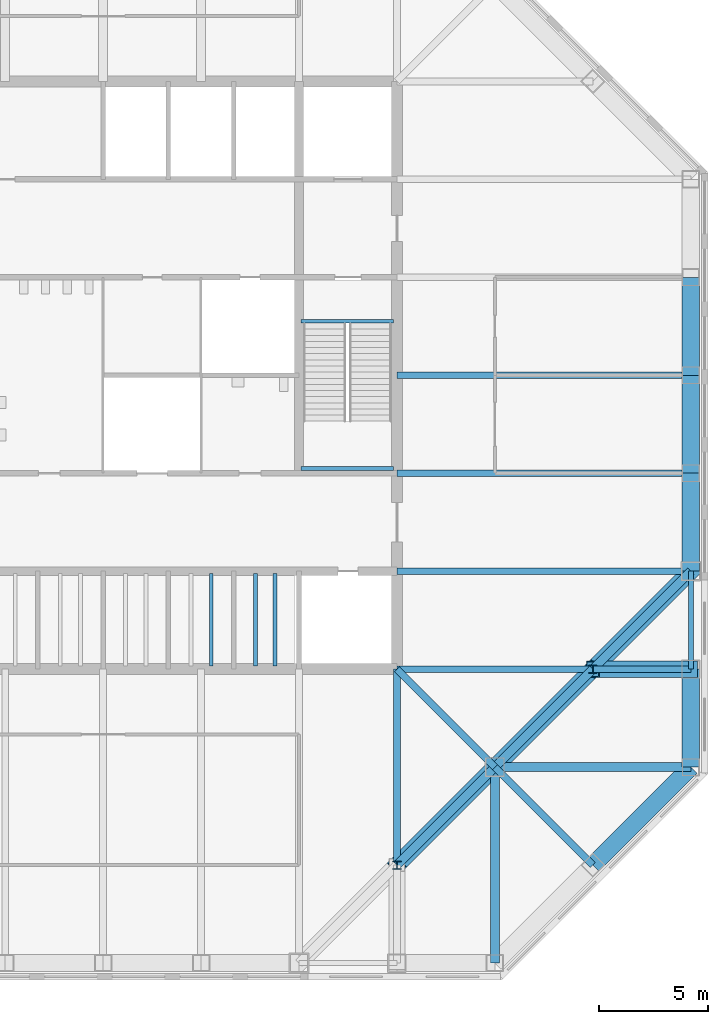
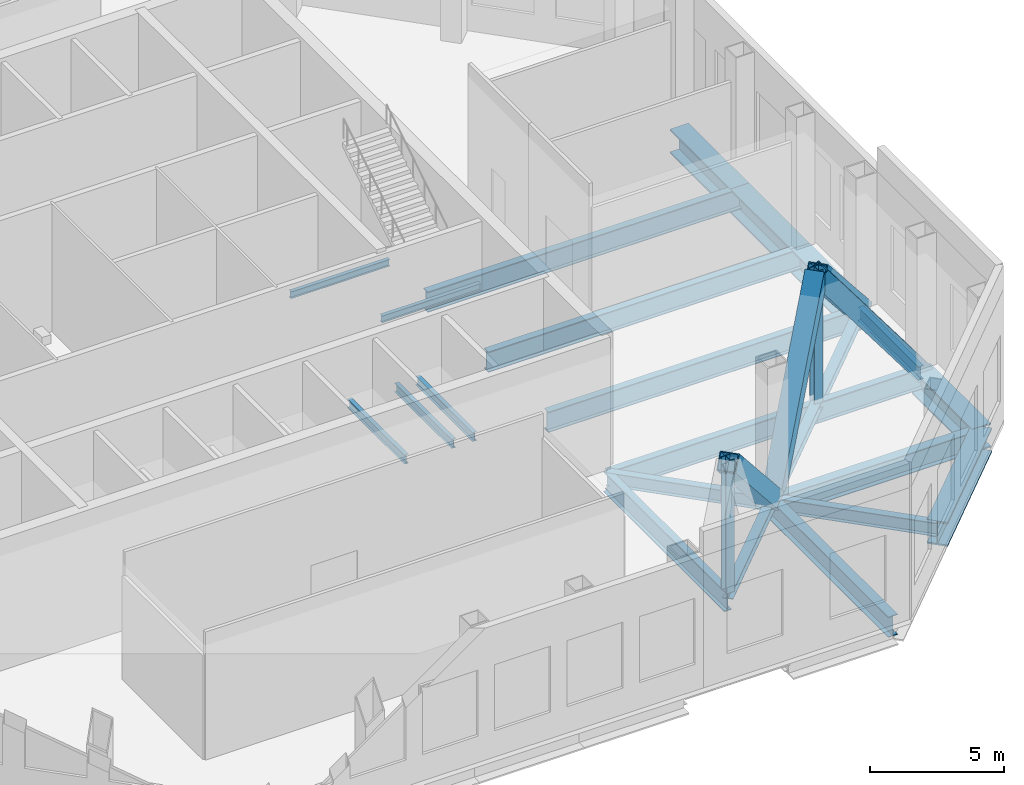
# One storey, part 2 of 10: 24 beams, 6 members.
"""IFC4 building model written with IfcOpenShell, lengths in metres."""

from ifc_helpers import new_model, si_unit, direction, frame, origin, origin_2d, place, context, subcontext, project, spatial, hollow_rectangle, i_section, extrude, material, material_profile, profile_set, type_object, element, save


model = new_model("IFC4")

# Units and contexts
model_context = context("Model", 3, precision=1e-05, world=origin(), true_north=direction((0.0, 1.0)))
body_context = subcontext(model_context, "Body", "Model", "MODEL_VIEW")
ifc_project = project(units=[si_unit("LENGTHUNIT", "METRE"), si_unit("AREAUNIT", "SQUARE_METRE"), si_unit("VOLUMEUNIT", "CUBIC_METRE"), si_unit("PLANEANGLEUNIT", "RADIAN"), si_unit("MASSUNIT", "GRAM", prefix="KILO")], contexts=[model_context])

# Site, building, storey
site_placement = place(None, origin())
site = spatial("IfcSite", under=ifc_project, at=site_placement, CompositionType="ELEMENT")
building_placement = place(site_placement, origin())
building = spatial("IfcBuilding", under=site, at=building_placement, Name="Corais Broadcast Tower", CompositionType="ELEMENT")
storey_placement = place(building_placement, frame((0.0, 0.0, 199.60009765625)))
storey = spatial("IfcBuildingStorey", under=building, at=storey_placement, Name="L46", CompositionType="ELEMENT", Elevation=199.60009765625)

# Beams
ifc_material_1 = material(Name="Steel ASTM A572 Grade 50", Category="steel")
ifc_material_profile_1 = material_profile(ifc_material_1, i_section(OverallWidth=0.323974609375, OverallDepth=0.611083984375, WebThickness=0.0126953125, FlangeThickness=0.01904296875, at=origin_2d()), Name="W610x155")
ifc_profile_set_1 = profile_set([ifc_material_profile_1], Name="Steel ASTM A572 Grade 50")
beam_type_1 = type_object("IfcBeamType", Name="Chamfer tie W610x155", PredefinedType="BEAM", material=ifc_profile_set_1)
beam_1_placement = place(storey_placement, frame((49.5, 4.5, -0.505615234375), z_axis=(-0.707106781187, 0.707106781187, 0.0), x_axis=(-0.707106781187, -0.707106781187, 0.0)))
element("IfcBeam", 1, at=beam_1_placement, inside=storey, type_object=beam_type_1, Name="B5 B/14 to C/13", PredefinedType="BEAM", context=body_context, shape_type="SweptSolid", body=[
    extrude(i_section(OverallWidth=0.323974609375, OverallDepth=0.611083984375, WebThickness=0.0126953125, FlangeThickness=0.01904296875, at=origin_2d()), origin(), (0.0, 0.0, 1.0), 6.364013671875),
])
ifc_material_2 = material(Name="Steel ASTM A572 Grade 50", Category="steel")
ifc_material_profile_2 = material_profile(ifc_material_2, i_section(OverallWidth=0.323974609375, OverallDepth=0.611083984375, WebThickness=0.0126953125, FlangeThickness=0.01904296875, at=origin_2d()), Name="W610x155")
ifc_profile_set_2 = profile_set([ifc_material_profile_2], Name="Steel ASTM A572 Grade 50")
beam_type_2 = type_object("IfcBeamType", Name="Corner diagonal W610x155", PredefinedType="BEAM", material=ifc_profile_set_2)
beam_2_placement = place(storey_placement, frame((45.0, 9.0, -0.505615234375), z_axis=(-0.707106781187, 0.707106781187, 0.0), x_axis=(-0.707106781187, -0.707106781187, 0.0)))
element("IfcBeam", 2, at=beam_2_placement, inside=storey, type_object=beam_type_2, Name="B6 C/13 to D/12", PredefinedType="BEAM", context=body_context, shape_type="SweptSolid", body=[
    extrude(i_section(OverallWidth=0.323974609375, OverallDepth=0.611083984375, WebThickness=0.0126953125, FlangeThickness=0.01904296875, at=origin_2d()), origin(), (0.0, 0.0, 1.0), 6.364013671875),
])
ifc_material_3 = material(Name="Steel ASTM A572 Grade 50", Category="steel")
ifc_material_profile_3 = material_profile(ifc_material_3, i_section(OverallWidth=0.1650390625, OverallDepth=0.31005859375, WebThickness=0.005859375, FlangeThickness=0.009765625, at=origin_2d()), Name="W310x38.7")
ifc_profile_set_3 = profile_set([ifc_material_profile_3], Name="Steel ASTM A572 Grade 50")
beam_type_3 = type_object("IfcBeamType", Name="Landing trimmer W310x38.7", PredefinedType="BEAM", material=ifc_profile_set_3)
for number, where, z_axis, x_axis, name in (
    (3, (36.10009765625, 29.47509765625, -0.35498046875), (1.0, 0.0, 0.0), (0.0, 1.0, 0.0), "LT1 stair B landing trimmer L46"),
    (4, (36.10009765625, 22.715087890625, 2.64501953125), (1.0, 0.0, 0.0), (0.0, 1.0, 0.0), "LT1 stair B half landing trimmer L46"),
):
    element("IfcBeam", number, at=place(storey_placement, frame(where, z_axis=z_axis, x_axis=x_axis)), inside=storey, type_object=beam_type_3, Name=name, PredefinedType="BEAM", context=body_context, shape_type="SweptSolid", body=[
        extrude(i_section(OverallWidth=0.1650390625, OverallDepth=0.31005859375, WebThickness=0.005859375, FlangeThickness=0.009765625, at=origin_2d()), origin(), (0.0, 0.0, 1.0), 4.25),
    ])
ifc_material_4 = material(Name="Steel ASTM A572 Grade 50", Category="steel")
ifc_material_profile_4 = material_profile(ifc_material_4, i_section(OverallWidth=0.22900390625, OverallDepth=0.612060546875, WebThickness=0.011962890625, FlangeThickness=0.01953125, at=origin_2d()), Name="W610x125")
ifc_profile_set_4 = profile_set([ifc_material_profile_4], Name="Steel ASTM A572 Grade 50")
beam_type_4 = type_object("IfcBeamType", Name="Pinned spandrel W610x125", PredefinedType="BEAM", material=ifc_profile_set_4)
beam_3_placement = place(storey_placement, frame((54.0, 13.5, -0.506103515625), z_axis=(0.0, 1.0, 0.0), x_axis=(-1.0, 0.0, 0.0)))
element("IfcBeam", 5, at=beam_3_placement, inside=storey, type_object=beam_type_4, Name="SB7 D/15 to E/15", PredefinedType="BEAM", context=body_context, shape_type="SweptSolid", body=[
    extrude(i_section(OverallWidth=0.22900390625, OverallDepth=0.612060546875, WebThickness=0.011962890625, FlangeThickness=0.01953125, at=origin_2d()), origin(), (0.0, 0.0, 1.0), 4.5),
])
ifc_material_5 = material(Name="Steel ASTM A572 Grade 50", Category="steel")
ifc_material_profile_5 = material_profile(ifc_material_5, i_section(OverallWidth=0.177978515625, OverallDepth=0.406982421875, WebThickness=0.0078125, FlangeThickness=0.0126953125, at=origin_2d()), Name="W410x60")
ifc_profile_set_5 = profile_set([ifc_material_profile_5], Name="Steel ASTM A572 Grade 50")
beam_type_5 = type_object("IfcBeamType", Name="Pit beam W410x60", PredefinedType="BEAM", material=ifc_profile_set_5)
for number, where, z_axis, x_axis, name in (
    (6, (31.966796875, 13.64990234375, 3.1962890625), (0.0, 1.0, 0.0), (-1.0, 0.0, 0.0), "B15 lift pit beam D/10 +467 +250"),
    (7, (34.0, 13.64990234375, 3.1962890625), (0.0, 1.0, 0.0), (-1.0, 0.0, 0.0), "B15 lift pit beam D/11 -2000 +250"),
    (8, (34.89990234375, 13.64990234375, 3.1962890625), (0.0, 1.0, 0.0), (-1.0, 0.0, 0.0), "B15 lift pit beam D/11 -1100 +250"),
):
    element("IfcBeam", number, at=place(storey_placement, frame(where, z_axis=z_axis, x_axis=x_axis)), inside=storey, type_object=beam_type_5, Name=name, PredefinedType="BEAM", context=body_context, shape_type="SweptSolid", body=[
        extrude(i_section(OverallWidth=0.177978515625, OverallDepth=0.406982421875, WebThickness=0.0078125, FlangeThickness=0.0126953125, at=origin_2d()), origin(), (0.0, 0.0, 1.0), 4.25),
    ])
ifc_material_6 = material(Name="Steel ASTM A572 Grade 50", Category="steel")
ifc_material_profile_6 = material_profile(ifc_material_6, i_section(OverallWidth=0.30908203125, OverallDepth=0.931884765625, WebThickness=0.02099609375, FlangeThickness=0.034423828125, at=origin_2d()), Name="W920x313")
ifc_profile_set_6 = profile_set([ifc_material_profile_6], Name="Steel ASTM A572 Grade 50")
beam_type_6 = type_object("IfcBeamType", Name="Plant floor beam W920x313", PredefinedType="BEAM", material=ifc_profile_set_6)
for number, where, z_axis, x_axis, name in (
    (9, (40.5, 4.5, -0.666015625), (0.0, 1.0, 0.0), (-1.0, 0.0, 0.0), "B17 B/12 to D/12"),
    (10, (49.5, 13.5, -0.666015625), (-1.0, 0.0, 0.0), (0.0, -1.0, 0.0), "B17 D/14 to D/12"),
):
    element("IfcBeam", number, at=place(storey_placement, frame(where, z_axis=z_axis, x_axis=x_axis)), inside=storey, type_object=beam_type_6, Name=name, PredefinedType="BEAM", context=body_context, shape_type="SweptSolid", body=[
        extrude(i_section(OverallWidth=0.30908203125, OverallDepth=0.931884765625, WebThickness=0.02099609375, FlangeThickness=0.034423828125, at=origin_2d()), origin(), (0.0, 0.0, 1.0), 9.0),
    ])
beam_4_placement = place(storey_placement, frame((54.0, 13.5, -0.666015625), z_axis=(-1.0, 0.0, 0.0), x_axis=(0.0, -1.0, 0.0)))
element("IfcBeam", 11, at=beam_4_placement, inside=storey, type_object=beam_type_6, Name="B17 D/15 to D/14", PredefinedType="BEAM", context=body_context, shape_type="SweptSolid", body=[
    extrude(i_section(OverallWidth=0.30908203125, OverallDepth=0.931884765625, WebThickness=0.02099609375, FlangeThickness=0.034423828125, at=origin_2d()), origin(), (0.0, 0.0, 1.0), 4.5),
])
for number, where, z_axis, x_axis, name in (
    (12, (54.0, 18.0, -0.666015625), (-1.0, 0.0, 0.0), (0.0, -1.0, 0.0), "B17 E/15 to E/12"),
    (13, (54.0, 22.5, -0.666015625), (-1.0, 0.0, 0.0), (0.0, -1.0, 0.0), "B17 F/15 to F/12"),
    (14, (54.0, 27.0, -0.666015625), (-1.0, 0.0, 0.0), (0.0, -1.0, 0.0), "B17 G/15 to G/12"),
):
    element("IfcBeam", number, at=place(storey_placement, frame(where, z_axis=z_axis, x_axis=x_axis)), inside=storey, type_object=beam_type_6, Name=name, PredefinedType="BEAM", context=body_context, shape_type="SweptSolid", body=[
        extrude(i_section(OverallWidth=0.30908203125, OverallDepth=0.931884765625, WebThickness=0.02099609375, FlangeThickness=0.034423828125, at=origin_2d()), origin(), (0.0, 0.0, 1.0), 13.5),
    ])
ifc_material_7 = material(Name="Steel ASTM A572 Grade 50", Category="steel")
ifc_material_profile_7 = material_profile(ifc_material_7, i_section(OverallWidth=0.40087890625, OverallDepth=0.386962890625, WebThickness=0.02099609375, FlangeThickness=0.033203125, at=origin_2d()), Name="W360x262")
ifc_profile_set_7 = profile_set([ifc_material_profile_7], Name="Steel ASTM A572 Grade 50")
beam_type_7 = type_object("IfcBeamType", Name="Transfer chord W360x262", PredefinedType="BEAM", material=ifc_profile_set_7)
for number, where, z_axis, x_axis, name in (
    (15, (40.5, 4.5, -0.3935546875), (0.707106781187, 0.707106781187, 0.0), (-0.707106781187, 0.707106781187, 0.0), "TC1 B/12 to C/13"),
    (16, (45.0, 9.0, -0.3935546875), (0.707106781187, 0.707106781187, 0.0), (-0.707106781187, 0.707106781187, 0.0), "TC1 C/13 to D/14"),
    (17, (49.5, 13.5, -0.3935546875), (0.707106781187, 0.707106781187, 0.0), (-0.707106781187, 0.707106781187, 0.0), "TC1 D/14 to E/15"),
):
    element("IfcBeam", number, at=place(storey_placement, frame(where, z_axis=z_axis, x_axis=x_axis)), inside=storey, type_object=beam_type_7, Name=name, PredefinedType="BEAM", context=body_context, shape_type="SweptSolid", body=[
        extrude(i_section(OverallWidth=0.40087890625, OverallDepth=0.386962890625, WebThickness=0.02099609375, FlangeThickness=0.033203125, at=origin_2d()), origin(), (0.0, 0.0, 1.0), 6.364013671875),
    ])
ifc_material_8 = material(Name="Steel ASTM A572 Grade 50", Category="steel")
ifc_material_profile_8 = material_profile(ifc_material_8, i_section(OverallWidth=0.408935546875, OverallDepth=0.927001953125, WebThickness=0.0166015625, FlangeThickness=0.030029296875, at=origin_2d()), Name="W920x289")
ifc_profile_set_8 = profile_set([ifc_material_profile_8], Name="Steel ASTM A572 Grade 50")
beam_type_8 = type_object("IfcBeamType", Name="Transfer corner girder W920x289", PredefinedType="BEAM", material=ifc_profile_set_8)
for number, where, z_axis, x_axis, name in (
    (18, (45.0, 0.0, -0.66357421875), (0.0, 1.0, 0.0), (-1.0, 0.0, 0.0), "B14 A/13 to C/13"),
    (19, (54.0, 9.0, -0.66357421875), (-1.0, 0.0, 0.0), (0.0, -1.0, 0.0), "B14 C/15 to C/13"),
):
    element("IfcBeam", number, at=place(storey_placement, frame(where, z_axis=z_axis, x_axis=x_axis)), inside=storey, type_object=beam_type_8, Name=name, PredefinedType="BEAM", context=body_context, shape_type="SweptSolid", body=[
        extrude(i_section(OverallWidth=0.408935546875, OverallDepth=0.927001953125, WebThickness=0.0166015625, FlangeThickness=0.030029296875, at=origin_2d()), origin(), (0.0, 0.0, 1.0), 9.0),
    ])
ifc_material_9 = material(Name="Steel ASTM A572 Grade 50", Category="steel")
ifc_material_profile_9 = material_profile(ifc_material_9, i_section(OverallWidth=0.800048828125, OverallDepth=1.10009765625, WebThickness=0.030029296875, FlangeThickness=0.070068359375, at=origin_2d()), Name="PG1100x1105")
ifc_profile_set_9 = profile_set([ifc_material_profile_9], Name="Steel ASTM A572 Grade 50")
beam_type_9 = type_object("IfcBeamType", Name="Transfer spandrel PG1100x1105", PredefinedType="BEAM", material=ifc_profile_set_9)
beam_5_placement = place(storey_placement, frame((49.5, 4.5, -0.75), z_axis=(0.707106781187, 0.707106781187, 0.0), x_axis=(-0.707106781187, 0.707106781187, 0.0)))
element("IfcBeam", 20, at=beam_5_placement, inside=storey, type_object=beam_type_9, Name="SB8 B/14 to C/15", PredefinedType="BEAM", context=body_context, shape_type="SweptSolid", body=[
    extrude(i_section(OverallWidth=0.800048828125, OverallDepth=1.10009765625, WebThickness=0.030029296875, FlangeThickness=0.070068359375, at=origin_2d()), origin(), (0.0, 0.0, 1.0), 6.364013671875),
])
for number, where, z_axis, x_axis, name in (
    (21, (54.0, 18.0, -0.75), (0.0, 1.0, 0.0), (-1.0, 0.0, 0.0), "SB8 E/15 to F/15"),
    (22, (54.0, 22.5, -0.75), (0.0, 1.0, 0.0), (-1.0, 0.0, 0.0), "SB8 F/15 to G/15"),
    (23, (54.0, 27.0, -0.75), (0.0, 1.0, 0.0), (-1.0, 0.0, 0.0), "SB8 G/15 to H/15"),
    (24, (54.0, 9.0, -0.75), (0.0, 1.0, 0.0), (-1.0, 0.0, 0.0), "SB8 C/15 to D/15"),
):
    element("IfcBeam", number, at=place(storey_placement, frame(where, z_axis=z_axis, x_axis=x_axis)), inside=storey, type_object=beam_type_9, Name=name, PredefinedType="BEAM", context=body_context, shape_type="SweptSolid", body=[
        extrude(i_section(OverallWidth=0.800048828125, OverallDepth=1.10009765625, WebThickness=0.030029296875, FlangeThickness=0.070068359375, at=origin_2d()), origin(), (0.0, 0.0, 1.0), 4.5),
    ])

# Members
ifc_material_10 = material(Name="Steel ASTM A572 Grade 50", Category="steel")
ifc_material_profile_10 = material_profile(ifc_material_10, hollow_rectangle(XDim=0.75, YDim=0.75, WallThickness=0.0400390625, at=origin_2d()), Name="BOX 750x750x40")
ifc_profile_set_10 = profile_set([ifc_material_profile_10], Name="Steel ASTM A572 Grade 50")
member_type_1 = type_object("IfcMemberType", Name="Transfer truss diagonal BOX 750x750x40", PredefinedType="BRACE", material=ifc_profile_set_10)
for number, where, z_axis, x_axis, name in (
    (25, (45.0, 9.0, -0.3935546875), (-0.51368847143, -0.51368847143, 0.687203251331), (0.707106781187, -0.707106781187, 0.0), "TD1 transfer truss diagonal SE"),
    (26, (45.0, 9.0, -0.3935546875), (0.51368847143, 0.51368847143, 0.687203251331), (-0.707106781187, 0.707106781187, 0.0), "TD1 transfer truss diagonal SE"),
    (27, (54.0, 18.0, -0.3935546875), (-0.51368847143, -0.51368847143, 0.687203251331), (0.707106781187, -0.707106781187, 0.0), "TD1 transfer truss diagonal SE"),
):
    element("IfcMember", number, at=place(storey_placement, frame(where, z_axis=z_axis, x_axis=x_axis)), inside=storey, type_object=member_type_1, Name=name, PredefinedType="BRACE", context=body_context, shape_type="SweptSolid", body=[
        extrude(hollow_rectangle(XDim=0.75, YDim=0.75, WallThickness=0.0400390625, at=origin_2d()), origin(), (0.0, 0.0, 1.0), 8.76025390625),
    ])
member_placement = place(storey_placement, frame((54.0, 13.5, -0.3935546875), z_axis=(-0.598720715582, 0.0, 0.800957867015), x_axis=(0.0, -1.0, 0.0)))
element("IfcMember", 28, at=member_placement, inside=storey, type_object=member_type_1, Name="TD1 transfer truss diagonal SE", PredefinedType="BRACE", context=body_context, shape_type="SweptSolid", body=[
    extrude(hollow_rectangle(XDim=0.75, YDim=0.75, WallThickness=0.0400390625, at=origin_2d()), origin(), (0.0, 0.0, 1.0), 7.51611328125),
])
ifc_material_11 = material(Name="Steel ASTM A572 Grade 50", Category="steel")
ifc_material_profile_11 = material_profile(ifc_material_11, i_section(OverallWidth=0.373046875, OverallDepth=0.367919921875, WebThickness=0.014892578125, FlangeThickness=0.02392578125, at=origin_2d()), Name="W360x179")
ifc_profile_set_11 = profile_set([ifc_material_profile_11], Name="Steel ASTM A572 Grade 50")
member_type_2 = type_object("IfcMemberType", Name="Transfer truss post W360x179", PredefinedType="POST", material=ifc_profile_set_11)
for number, where, z_axis, x_axis, name in (
    (29, (40.5, 4.5, -0.2001953125), (0.0, 0.0, 1.0), (1.0, 0.0, 0.0), "TP1 transfer truss post SE"),
    (30, (49.5, 13.5, -0.2001953125), (0.0, 0.0, 1.0), (1.0, 0.0, 0.0), "TP1 transfer truss post SE"),
):
    element("IfcMember", number, at=place(storey_placement, frame(where, z_axis=z_axis, x_axis=x_axis)), inside=storey, type_object=member_type_2, Name=name, PredefinedType="POST", context=body_context, shape_type="SweptSolid", body=[
        extrude(i_section(OverallWidth=0.373046875, OverallDepth=0.367919921875, WebThickness=0.014892578125, FlangeThickness=0.02392578125, at=origin_2d()), origin(), (0.0, 0.0, 1.0), 6.02001953125),
    ])

save(model, "model.ifc")
